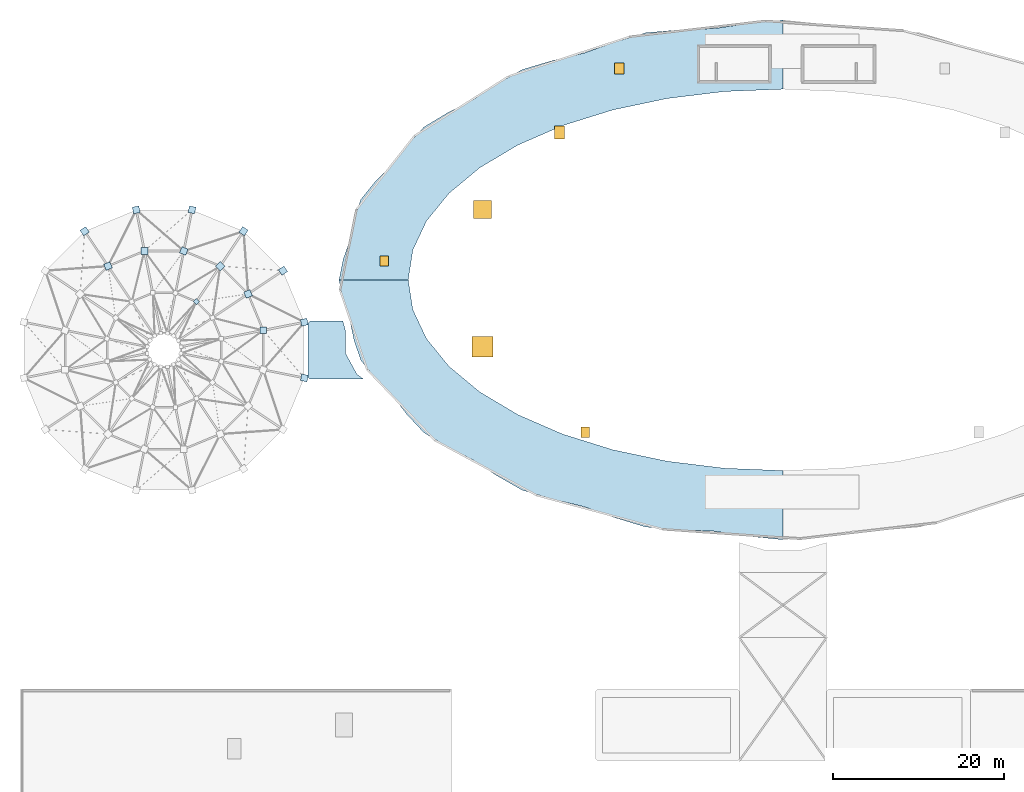
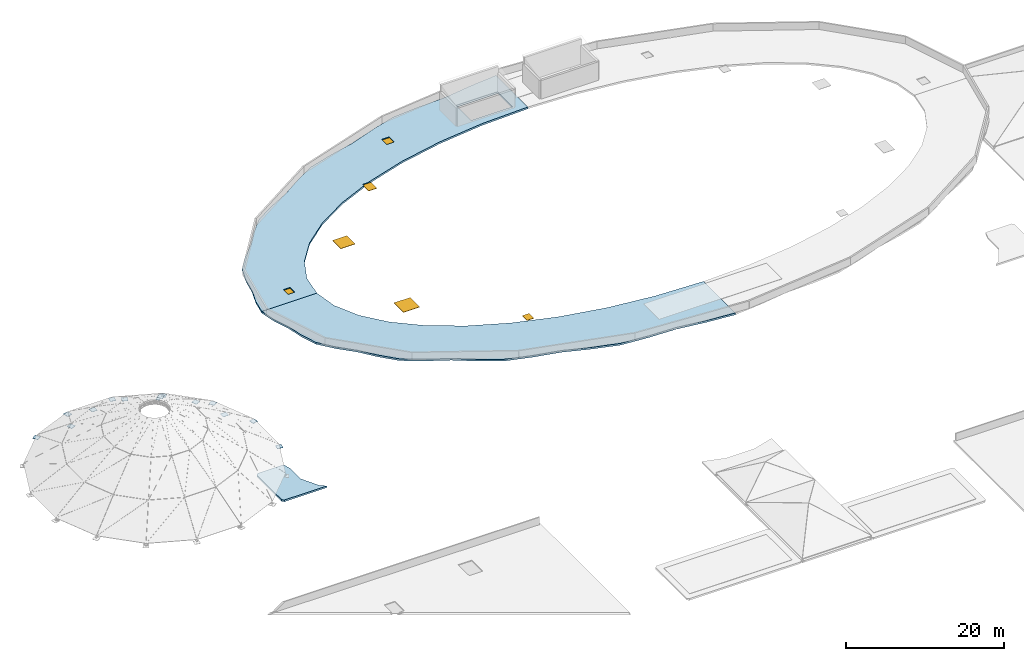
"""IFC4 building model written with IfcOpenShell, lengths in metres."""

from ifc_helpers import new_model, si_unit, direction, frame, origin, origin_2d, place, context, subcontext, project, spatial, polyline, rectangle, outline, extrude, material, layer, layer_set, type_object, element, fill, save


model = new_model("IFC4")

# Units and contexts
model_context = context("Model", 3, precision=1e-05, world=origin(), true_north=direction((0.0, 1.0)))
body_context = subcontext(model_context, "Body", "Model", "MODEL_VIEW")
ifc_project = project(units=[si_unit("LENGTHUNIT", "METRE"), si_unit("AREAUNIT", "SQUARE_METRE"), si_unit("VOLUMEUNIT", "CUBIC_METRE"), si_unit("PLANEANGLEUNIT", "RADIAN"), si_unit("MASSUNIT", "GRAM", prefix="KILO"), si_unit("THERMODYNAMICTEMPERATUREUNIT", "KELVIN"), si_unit("POWERUNIT", "WATT")], contexts=[model_context])

# Site, building, storey
site_placement = place(None, origin())
site = spatial("IfcSite", under=ifc_project, at=site_placement, CompositionType="ELEMENT")
building_placement = place(site_placement, origin())
building = spatial("IfcBuilding", under=site, at=building_placement, Name="Darbajah Civic Hall", CompositionType="ELEMENT")
storey_1_placement = place(building_placement, frame((0.0, 0.0, 30.60009765625)))
storey_1 = spatial("IfcBuildingStorey", under=building, at=storey_1_placement, Name="ROOF", CompositionType="ELEMENT", Elevation=30.60009765625)

# Slab
ifc_material_1 = material(Name="Concrete C45/55", Category="concrete")
ifc_layer_1 = layer(ifc_material_1, 0.27001953125, Name="Concrete C45/55")
ifc_layer_set_1 = layer_set([ifc_layer_1], Name="Concrete C45/55")
slab_type_1 = type_object("IfcSlabType", Name="Link Walk Roof Slab 270mm", PredefinedType="ROOF", material=ifc_layer_set_1)
slab_1_placement = place(storey_1_placement, frame((0.0, 0.0, -21.27001953125)))
element("IfcSlab", 1, at=slab_1_placement, inside=storey_1, type_object=slab_type_1, Name="ROOF Screened Link Walk W roof slab", PredefinedType="ROOF", context=body_context, shape_type="SweptSolid", body=[
    extrude(outline(polyline([(33.85009765625, 78.199951171875), (33.60009765625, 78.449951171875), (33.60009765625, 84.75), (33.85009765625, 85.0), (37.68017578125, 85.0), (37.9921875, 83.847412109375), (37.986572265625, 81.300048828125), (37.988037109375, 81.27197265625), (37.9921875, 81.244140625), (37.9990234375, 81.216796875), (38.0087890625, 81.190185546875), (38.02099609375, 81.164794921875), (39.302490234375, 78.826416015625), (39.318359375, 78.80078125), (39.3369140625, 78.777099609375), (39.357666015625, 78.755615234375), (39.380615234375, 78.736572265625), (40.099853515625, 78.199951171875), (33.85009765625, 78.199951171875)])), origin(), (0.0, 0.0, 1.0), 0.27001953125),
])

# Slab, openings, doors
ifc_layer_2 = layer(ifc_material_1, 0.280029296875, Name="Concrete C45/55")
ifc_layer_set_2 = layer_set([ifc_layer_2], Name="Concrete C45/55")
slab_type_2 = type_object("IfcSlabType", Name="Oval Ring Roof Slab 280mm", PredefinedType="ROOF", material=ifc_layer_set_2)
slab_2_placement = place(storey_1_placement, frame((0.0, 0.0, -0.280029296875)))
slab_2 = element("IfcSlab", 2, at=slab_2_placement, inside=storey_1, type_object=slab_type_2, Name="ROOF Oval Administration Ring NW roof slab", PredefinedType="ROOF", context=body_context, shape_type="SweptSolid", body=[
    extrude(outline(polyline([(89.10009765625, 120.162109375), (85.055419921875, 119.75732421875), (81.084716796875, 119.171875), (77.06591796875, 119.019775390625), (73.07373046875, 118.676025390625), (69.372802734375, 117.5625), (65.83837890625, 116.296875), (62.165283203125, 115.421875), (58.6162109375, 114.36328125), (55.62109375, 112.650146484375), (52.869384765625, 110.827880859375), (49.901123046875, 109.31591796875), (47.142822265625, 107.646240234375), (45.146484375, 105.501220703125), (43.446533203125, 103.30078125), (41.47412109375, 101.299560546875), (39.7763671875, 99.182373046875), (38.974365234375, 96.81494140625), (38.492919921875, 94.451904296875), (37.708984375, 92.15771484375), (37.238037109375, 89.800048828125), (45.320068359375, 89.800048828125), (45.85888671875, 93.285400390625), (47.462646484375, 96.684814453125), (50.091796875, 99.914794921875), (53.68115234375, 102.89599609375), (58.142822265625, 105.55419921875), (63.36669921875, 107.824951171875), (69.224365234375, 109.651611328125), (75.5712890625, 110.989501953125), (82.251220703125, 111.8056640625), (89.10009765625, 112.080078125), (89.10009765625, 120.162109375)]), holes=[polyline([(81.3798828125, 116.8798828125), (87.4599609375, 116.8798828125), (87.4599609375, 113.1201171875), (81.3798828125, 113.1201171875), (81.3798828125, 116.8798828125)])]), origin(), (0.0, 0.0, 1.0), 0.280029296875),
])
opening_1_placement = place(slab_2_placement, frame((63.0, 107.0, 0.0)))
opening_1 = element("IfcOpeningElement", 3, at=opening_1_placement, cuts=slab_2, Name="Opening RH-022", PredefinedType="OPENING", context=body_context, shape_type="SweptSolid", body=[
    extrude(rectangle(XDim=1.199951171875, YDim=1.5, at=origin_2d()), frame((0.0, 0.0, -0.010009765625)), (0.0, 0.0, 1.0), 0.300048828125),
])
opening_2_placement = place(slab_2_placement, frame((70.0, 114.5, 0.0)))
opening_2 = element("IfcOpeningElement", 4, at=opening_2_placement, cuts=slab_2, Name="Opening RH-023", PredefinedType="OPENING", context=body_context, shape_type="SweptSolid", body=[
    extrude(rectangle(XDim=1.10009765625, YDim=1.300048828125, at=origin_2d()), frame((0.0, 0.0, -0.010009765625)), (0.0, 0.0, 1.0), 0.300048828125),
])
opening_3_placement = place(slab_2_placement, frame((42.5, 92.0, 0.0)))
opening_3 = element("IfcOpeningElement", 5, at=opening_3_placement, cuts=slab_2, Name="Opening RH-028", PredefinedType="OPENING", context=body_context, shape_type="SweptSolid", body=[
    extrude(rectangle(XDim=1.0, YDim=1.199951171875, at=origin_2d()), frame((0.0, 0.0, -0.010009765625)), (0.0, 0.0, 1.0), 0.300048828125),
])
opening_4_placement = place(slab_2_placement, frame((54.0, 98.0, 0.0)))
opening_4 = element("IfcOpeningElement", 6, at=opening_4_placement, cuts=slab_2, Name="Opening SK-02", PredefinedType="OPENING", context=body_context, shape_type="SweptSolid", body=[
    extrude(rectangle(XDim=2.10009765625, YDim=2.10009765625, at=origin_2d()), frame((0.0, 0.0, -0.010009765625)), (0.0, 0.0, 1.0), 0.300048828125),
])
ifc_material_2 = material(Name="Galvanised Insulated Steel", Category="steel")
door_type_1 = type_object("IfcDoorType", Name="Exterior Trapdoor 1000x1200", OperationType="NOTDEFINED", PredefinedType="TRAPDOOR", material=ifc_material_2)
door_1_placement = place(opening_3_placement, frame((0.0, 0.0, 0.114990234375)))
door_1 = element("IfcDoor", 7, at=door_1_placement, inside=storey_1, type_object=door_type_1, Name="Roof maintenance access trapdoor RH-028", OperationType="SINGLE_SWING_LEFT", OverallHeight=1.199951171875, OverallWidth=1.0, PredefinedType="TRAPDOOR", context=body_context, shape_type="SweptSolid", body=[
    extrude(rectangle(XDim=1.0, YDim=1.199951171875, at=origin_2d()), origin(), (0.0, 0.0, 1.0), 0.050048828125),
])
fill(opening_3, door_1)
door_type_2 = type_object("IfcDoorType", Name="Exterior Trapdoor 1100x1300", OperationType="NOTDEFINED", PredefinedType="TRAPDOOR", material=ifc_material_2)
door_2_placement = place(opening_2_placement, frame((0.0, 0.0, 0.114990234375)))
door_2 = element("IfcDoor", 8, at=door_2_placement, inside=storey_1, type_object=door_type_2, Name="Roof maintenance access trapdoor RH-023", OperationType="SINGLE_SWING_LEFT", OverallHeight=1.300048828125, OverallWidth=1.10009765625, PredefinedType="TRAPDOOR", context=body_context, shape_type="SweptSolid", body=[
    extrude(rectangle(XDim=1.10009765625, YDim=1.300048828125, at=origin_2d()), origin(), (0.0, 0.0, 1.0), 0.050048828125),
])
fill(opening_2, door_2)
door_type_3 = type_object("IfcDoorType", Name="Exterior Trapdoor 1200x1500", OperationType="NOTDEFINED", PredefinedType="TRAPDOOR", material=ifc_material_2)
door_3_placement = place(opening_1_placement, frame((0.0, 0.0, 0.114990234375)))
door_3 = element("IfcDoor", 9, at=door_3_placement, inside=storey_1, type_object=door_type_3, Name="Roof maintenance access trapdoor RH-022", OperationType="SINGLE_SWING_LEFT", OverallHeight=1.5, OverallWidth=1.199951171875, PredefinedType="TRAPDOOR", context=body_context, shape_type="SweptSolid", body=[
    extrude(rectangle(XDim=1.199951171875, YDim=1.5, at=origin_2d()), origin(), (0.0, 0.0, 1.0), 0.050048828125),
])
fill(opening_1, door_3)

# Storey
storey_2_placement = place(building_placement, frame((0.0, 0.0, 26.39990234375)))
storey_2 = spatial("IfcBuildingStorey", under=building, at=storey_2_placement, Name="L06", CompositionType="ELEMENT", Elevation=26.39990234375)

# Window
ifc_material_3 = material(Name="Low-E Laminated Solar Skylight Glazing", Category="glass")
window_type_1 = type_object("IfcWindowType", Name="Roof Skylight 2100x2100", PartitioningType="SINGLE_PANEL", PredefinedType="SKYLIGHT", material=ifc_material_3)
window_1_placement = place(opening_4_placement, frame((0.0, 0.0, 0.114990234375)))
window_1 = element("IfcWindow", 10, at=window_1_placement, inside=storey_2, type_object=window_type_1, Name="L06 clerestory skylight SK-02", OverallHeight=2.10009765625, OverallWidth=2.10009765625, PartitioningType="SINGLE_PANEL", PredefinedType="SKYLIGHT", context=body_context, shape_type="SweptSolid", body=[
    extrude(rectangle(XDim=2.10009765625, YDim=2.10009765625, at=origin_2d()), origin(), (0.0, 0.0, 1.0), 0.050048828125),
])

fill(opening_4, window_1)

# Slab, openings, door, window
slab_3_placement = place(storey_1_placement, frame((0.0, 0.0, -0.280029296875)))
slab_3 = element("IfcSlab", 11, at=slab_3_placement, inside=storey_1, type_object=slab_type_2, Name="ROOF Oval Administration Ring SW roof slab", PredefinedType="ROOF", context=body_context, shape_type="SweptSolid", body=[
    extrude(outline(polyline([(37.238037109375, 89.800048828125), (37.708984375, 87.4423828125), (38.492919921875, 85.14794921875), (38.974365234375, 82.784912109375), (39.7763671875, 80.41748046875), (41.47412109375, 78.30029296875), (43.446533203125, 76.29931640625), (45.146484375, 74.098876953125), (47.142822265625, 71.95361328125), (49.901123046875, 70.2841796875), (52.869384765625, 68.772216796875), (55.62109375, 66.94970703125), (58.6162109375, 65.236572265625), (62.165283203125, 64.17822265625), (65.83837890625, 63.30322265625), (69.372802734375, 62.037353515625), (73.07373046875, 60.924072265625), (77.06591796875, 60.580322265625), (81.084716796875, 60.427978515625), (85.055419921875, 59.842529296875), (89.10009765625, 59.43798828125), (89.10009765625, 67.52001953125), (82.251220703125, 67.794189453125), (75.5712890625, 68.610595703125), (69.224365234375, 69.948486328125), (63.36669921875, 71.775146484375), (58.142822265625, 74.045654296875), (53.68115234375, 76.7041015625), (50.091796875, 79.68505859375), (47.462646484375, 82.9150390625), (45.85888671875, 86.314697265625), (45.320068359375, 89.800048828125), (37.238037109375, 89.800048828125)])), origin(), (0.0, 0.0, 1.0), 0.280029296875),
])
opening_5_placement = place(slab_3_placement, frame((66.0, 72.0, 0.0)))
opening_5 = element("IfcOpeningElement", 12, at=opening_5_placement, cuts=slab_3, Name="Opening RH-025", PredefinedType="OPENING", context=body_context, shape_type="SweptSolid", body=[
    extrude(rectangle(XDim=1.0, YDim=1.199951171875, at=origin_2d()), frame((0.0, 0.0, -0.010009765625)), (0.0, 0.0, 1.0), 0.300048828125),
])
opening_6_placement = place(slab_3_placement, frame((54.0, 82.0, 0.0)))
opening_6 = element("IfcOpeningElement", 13, at=opening_6_placement, cuts=slab_3, Name="Opening SK-03", PredefinedType="OPENING", context=body_context, shape_type="SweptSolid", body=[
    extrude(rectangle(XDim=2.39990234375, YDim=2.39990234375, at=origin_2d()), frame((0.0, 0.0, -0.010009765625)), (0.0, 0.0, 1.0), 0.300048828125),
])
door_4_placement = place(opening_5_placement, frame((0.0, 0.0, 0.114990234375)))
door_4 = element("IfcDoor", 14, at=door_4_placement, inside=storey_1, type_object=door_type_1, Name="Roof maintenance access trapdoor RH-025", OperationType="SINGLE_SWING_LEFT", OverallHeight=1.199951171875, OverallWidth=1.0, PredefinedType="TRAPDOOR", context=body_context, shape_type="SweptSolid", body=[
    extrude(rectangle(XDim=1.0, YDim=1.199951171875, at=origin_2d()), origin(), (0.0, 0.0, 1.0), 0.050048828125),
])
fill(opening_5, door_4)
window_type_2 = type_object("IfcWindowType", Name="Roof Skylight 2400x2400", PartitioningType="SINGLE_PANEL", PredefinedType="SKYLIGHT", material=ifc_material_3)
window_2_placement = place(opening_6_placement, frame((0.0, 0.0, 0.114990234375)))
window_2 = element("IfcWindow", 15, at=window_2_placement, inside=storey_2, type_object=window_type_2, Name="L06 clerestory skylight SK-03", OverallHeight=2.39990234375, OverallWidth=2.39990234375, PartitioningType="SINGLE_PANEL", PredefinedType="SKYLIGHT", context=body_context, shape_type="SweptSolid", body=[
    extrude(rectangle(XDim=2.39990234375, YDim=2.39990234375, at=origin_2d()), origin(), (0.0, 0.0, 1.0), 0.050048828125),
])
fill(opening_6, window_2)

# Plates
ifc_material_4 = material(Name="Steel S355JR", Category="steel")
ifc_layer_3 = layer(ifc_material_4, 0.02490234375, Name="Steel S355JR")
ifc_layer_set_3 = layer_set([ifc_layer_3], Name="Steel S355JR")
plate_type_1 = type_object("IfcPlateType", Name="Steel Gusset Plate 520x520x25", PredefinedType="SHEET", material=ifc_layer_set_3)
plate_placement = place(storey_1_placement, frame((20.577880859375, 87.25390625, -6.192626953125), z_axis=(0.0, 0.0, 1.0), x_axis=(0.707106781187, 0.707106781187, 0.0)))
element("IfcPlate", 16, at=plate_placement, inside=storey_1, type_object=plate_type_1, Name="Dome structural gusset plate DN2-2", PredefinedType="SHEET", context=body_context, shape_type="SweptSolid", body=[
    extrude(rectangle(XDim=0.52001953125, YDim=0.52001953125, at=origin_2d()), origin(), (0.0, 0.0, 1.0), 0.02490234375),
])
ifc_layer_4 = layer(ifc_material_4, 0.0400390625, Name="Steel S355JR")
ifc_layer_set_4 = layer_set([ifc_layer_4], Name="Steel S355JR")
plate_type_2 = type_object("IfcPlateType", Name="Steel Gusset Plate 780x780x40", PredefinedType="SHEET", material=ifc_layer_set_4)
for number, where, z_axis, x_axis, name in (
    (17, (28.373291015625, 83.902099609375, -9.328125), (0.0, 0.0, 1.0), (1.0, 0.0, 0.0), "Dome structural gusset plate DN1-1"),
    (18, (26.611328125, 88.15576171875, -9.328125), (0.0, 0.0, 1.0), (0.923879532511, 0.382683432365, 0.0), "Dome chevron brace node plate DO1-1"),
    (19, (23.355712890625, 91.411376953125, -9.328125), (0.0, 0.0, 1.0), (0.707106781187, 0.707106781187, 0.0), "Dome structural gusset plate DN1-2"),
    (20, (19.10205078125, 93.17333984375, -9.328125), (0.0, 0.0, 1.0), (0.382683432365, 0.923879532511, 0.0), "Dome chevron brace node plate DO1-2"),
    (21, (14.497802734375, 93.17333984375, -9.328125), (0.0, 0.0, 1.0), (0.0, 1.0, 0.0), "Dome structural gusset plate DN1-3"),
    (22, (10.244384765625, 91.411376953125, -9.328125), (0.0, 0.0, 1.0), (-0.382683432365, 0.923879532511, 0.0), "Dome chevron brace node plate DO1-3"),
    (23, (33.179931640625, 84.858154296875, -12.60009765625), (0.0, 0.0, 1.0), (0.980785280403, 0.195090322016, 0.0), "Dome ring-beam base gusset plate DB-1"),
    (24, (30.686279296875, 90.87841796875, -12.60009765625), (0.0, 0.0, 1.0), (0.831469612303, 0.55557023302, 0.0), "Dome ring-beam base gusset plate DB-2"),
    (25, (26.07861328125, 95.486328125, -12.60009765625), (0.0, 0.0, 1.0), (0.55557023302, 0.831469612303, 0.0), "Dome ring-beam base gusset plate DB-3"),
    (26, (20.05810546875, 97.97998046875, -12.60009765625), (0.0, 0.0, 1.0), (0.195090322016, 0.980785280403, 0.0), "Dome ring-beam base gusset plate DB-4"),
    (27, (13.541748046875, 97.97998046875, -12.60009765625), (0.0, 0.0, 1.0), (-0.195090322016, 0.980785280403, 0.0), "Dome ring-beam base gusset plate DB-5"),
    (28, (7.521484375, 95.486328125, -12.60009765625), (0.0, 0.0, 1.0), (-0.55557023302, 0.831469612303, 0.0), "Dome ring-beam base gusset plate DB-6"),
    (29, (33.179931640625, 78.341796875, -12.60009765625), (0.0, 0.0, 1.0), (0.980785280403, -0.195090322016, 0.0), "Dome ring-beam base gusset plate DB-16"),
):
    element("IfcPlate", number, at=place(storey_1_placement, frame(where, z_axis=z_axis, x_axis=x_axis)), inside=storey_1, type_object=plate_type_2, Name=name, PredefinedType="SHEET", context=body_context, shape_type="SweptSolid", body=[
        extrude(rectangle(XDim=0.780029296875, YDim=0.780029296875, at=origin_2d()), origin(), (0.0, 0.0, 1.0), 0.0400390625),
    ])

save(model, "model.ifc")
